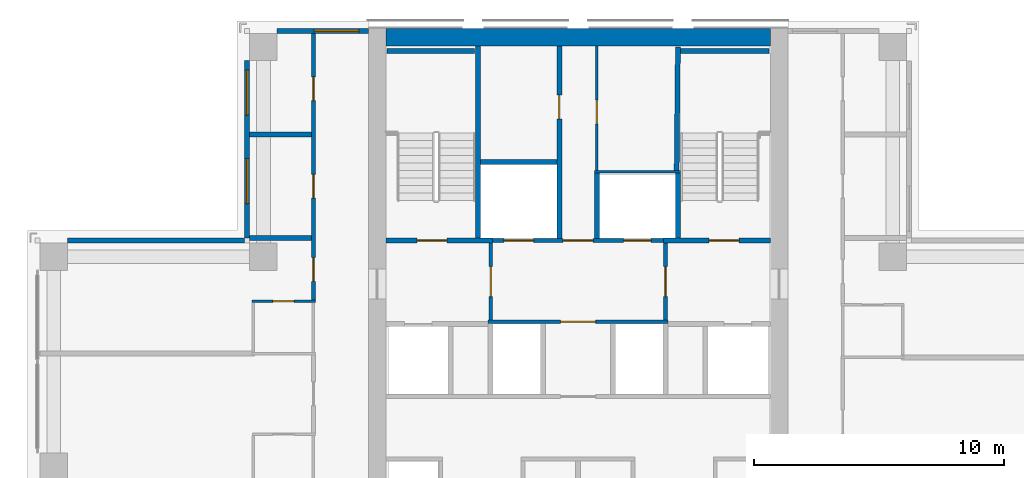
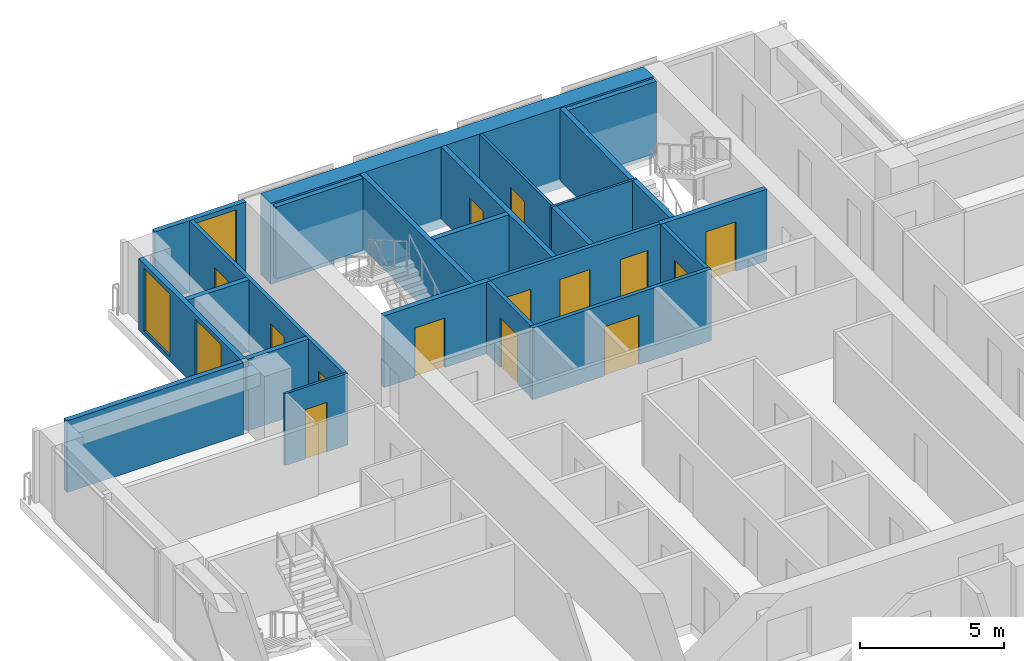
# One storey, part 12 of 16: 24 walls, 14 doors, 3 windows, 17 openings.
"""IFC4 building model written with IfcOpenShell, lengths in metres."""

from ifc_helpers import new_model, si_unit, direction, frame, frame_2d, origin, place, context, subcontext, project, spatial, rectangle, extrude, material, layer, layer_set, type_object, element, fill, save


model = new_model("IFC4")

# Units and contexts
model_context = context("Model", 3, precision=1e-05, world=origin(), true_north=direction((0.0, 1.0)))
body_context = subcontext(model_context, "Body", "Model", "MODEL_VIEW")
ifc_project = project(units=[si_unit("LENGTHUNIT", "METRE"), si_unit("AREAUNIT", "SQUARE_METRE"), si_unit("VOLUMEUNIT", "CUBIC_METRE"), si_unit("PLANEANGLEUNIT", "RADIAN"), si_unit("MASSUNIT", "GRAM", prefix="KILO")], contexts=[model_context])

# Site, building, storey
site_placement = place(None, origin())
site = spatial("IfcSite", under=ifc_project, at=site_placement, CompositionType="ELEMENT")
building_placement = place(site_placement, origin())
building = spatial("IfcBuilding", under=site, at=building_placement, Name="Vermilion Ogive Tower", CompositionType="ELEMENT")
storey_placement = place(building_placement, frame((0.0, 0.0, 160.699951171875)))
storey = spatial("IfcBuildingStorey", under=building, at=storey_placement, Name="L41", CompositionType="ELEMENT", Elevation=160.699951171875)

# Wall
ifc_material_1 = material(Name="Concrete B60", Category="concrete")
ifc_layer_1 = layer(ifc_material_1, 0.699951171875)
ifc_layer_set_1 = layer_set([ifc_layer_1], Name="Core wall 700 B60")
wall_type_1 = type_object("IfcWallType", Name="Core wall 700 B60", PredefinedType="SHEAR", material=ifc_layer_set_1)
wall_1_placement = place(storey_placement, frame((-7.699951171875, 21.39990234375, -0.39990234375), z_axis=(0.0, 0.0, 1.0), x_axis=(1.0, 0.0, 0.0)))
element("IfcWall", 1, at=wall_1_placement, inside=storey, type_object=wall_type_1, Name="L41-CORE-N", PredefinedType="SHEAR", context=body_context, shape_type="SweptSolid", body=[
    extrude(rectangle(XDim=15.39990234375, YDim=0.699951171875, at=frame_2d((7.699951171875, 0.0))), origin(), (0.0, 0.0, 1.0), 3.449951171875),
])

# Wall, opening, door
ifc_material_2 = material(Name="Gypsum board partition on steel studs", Category="steel")
ifc_layer_2 = layer(ifc_material_2, 0.10009765625)
ifc_layer_set_2 = layer_set([ifc_layer_2], Name="Partition 100 bath")
wall_type_2 = type_object("IfcWallType", Name="Partition 100 bath", PredefinedType="PARTITIONING", material=ifc_layer_set_2)
wall_2_placement = place(storey_placement, frame((-13.050048828125, 10.820068359375, 0.0), z_axis=(0.0, 0.0, 1.0), x_axis=(1.0, 0.0, 0.0)))
wall_2 = element("IfcWall", 2, at=wall_2_placement, inside=storey, type_object=wall_type_2, Name="L41-W-W035", PredefinedType="PARTITIONING", context=body_context, shape_type="SweptSolid", body=[
    extrude(rectangle(XDim=2.525146484375, YDim=0.10009765625, at=frame_2d((1.2626953125, 0.0))), origin(), (0.0, 0.0, 1.0), 3.050048828125),
])
opening_1_placement = place(wall_2_placement, frame((0.824951171875, 0.0, 0.0)))
opening_1 = element("IfcOpeningElement", 3, at=opening_1_placement, cuts=wall_2, Name="Opening D3G4006", PredefinedType="OPENING", context=body_context, shape_type="SweptSolid", body=[
    extrude(rectangle(XDim=0.85009765625, YDim=2.10009765625, at=frame_2d((0.425048828125, 1.050048828125))), frame((0.0, 0.06005859375, 0.0), z_axis=(0.0, -1.0, 0.0), x_axis=(1.0, 0.0, 0.0)), (0.0, 0.0, 1.0), 0.1201171875),
])
ifc_material_3 = material(Name="Timber door leaf", Category="wood")
door_type_1 = type_object("IfcDoorType", Name="Bath door 850 x 2100 FD30", OperationType="SINGLE_SWING_LEFT", PredefinedType="DOOR", material=ifc_material_3)
door_1_placement = place(opening_1_placement, origin())
door_1 = element("IfcDoor", 4, at=door_1_placement, inside=storey, type_object=door_type_1, Name="L41-D-D006", OperationType="SINGLE_SWING_RIGHT", OverallHeight=2.10009765625, OverallWidth=0.85009765625, PredefinedType="DOOR", context=body_context, shape_type="SweptSolid", body=[
    extrude(rectangle(XDim=0.85009765625, YDim=2.10009765625, at=frame_2d((0.425048828125, 1.050048828125))), frame((0.0, 0.02490234375, 0.0), z_axis=(0.0, -1.0, 0.0), x_axis=(1.0, 0.0, 0.0)), (0.0, 0.0, 1.0), 0.050048828125),
])
fill(opening_1, door_1)

# Wall
wall_3_placement = place(storey_placement, frame((0.64990234375, 16.0, 0.0), z_axis=(0.0, 0.0, 1.0), x_axis=(1.0, 0.0, 0.0)))
element("IfcWall", 5, at=wall_3_placement, inside=storey, type_object=wall_type_2, Name="L41-CK-W-W018", PredefinedType="PARTITIONING", context=body_context, shape_type="SweptSolid", body=[
    extrude(rectangle(XDim=3.4501953125, YDim=0.10009765625, at=frame_2d((1.72509765625, 0.0))), origin(), (0.0, 0.0, 1.0), 3.050048828125),
])

# Wall, opening, door
wall_4_placement = place(storey_placement, frame((0.75, 16.050048828125, 0.0), z_axis=(0.0, 0.0, 1.0), x_axis=(0.0, 1.0, 0.0)))
wall_4 = element("IfcWall", 6, at=wall_4_placement, inside=storey, type_object=wall_type_2, Name="L41-CK-W-W030", PredefinedType="PARTITIONING", context=body_context, shape_type="SweptSolid", body=[
    extrude(rectangle(XDim=4.9990234375, YDim=0.10009765625, at=frame_2d((2.49951171875, 0.0))), origin(), (0.0, 0.0, 1.0), 3.050048828125),
])
opening_2_placement = place(wall_4_placement, frame((1.875, 0.0, 0.0)))
opening_2 = element("IfcOpeningElement", 7, at=opening_2_placement, cuts=wall_4, Name="Opening DAA359", PredefinedType="OPENING", context=body_context, shape_type="SweptSolid", body=[
    extrude(rectangle(XDim=0.949951171875, YDim=2.10009765625, at=frame_2d((0.47509765625, 1.050048828125))), frame((0.0, 0.06005859375, 0.0), z_axis=(0.0, -1.0, 0.0), x_axis=(1.0, 0.0, 0.0)), (0.0, 0.0, 1.0), 0.1201171875),
])
ifc_material_4 = material(Name="Timber door leaf", Category="wood")
door_type_2 = type_object("IfcDoorType", Name="Service door 950 x 2100 FD60", OperationType="SINGLE_SWING_LEFT", PredefinedType="DOOR", material=ifc_material_4)
door_2_placement = place(opening_2_placement, origin())
door_2 = element("IfcDoor", 8, at=door_2_placement, inside=storey, type_object=door_type_2, Name="L41-CK-D-D022", OperationType="SINGLE_SWING_LEFT", OverallHeight=2.10009765625, OverallWidth=0.949951171875, PredefinedType="DOOR", context=body_context, shape_type="SweptSolid", body=[
    extrude(rectangle(XDim=0.949951171875, YDim=2.10009765625, at=frame_2d((0.47509765625, 1.050048828125))), frame((0.0, 0.02490234375, 0.0), z_axis=(0.0, -1.0, 0.0), x_axis=(1.0, 0.0, 0.0)), (0.0, 0.0, 1.0), 0.050048828125),
])
fill(opening_2, door_2)

# Wall, openings, doors
ifc_material_5 = material(Name="Gypsum board partition on steel studs", Category="steel")
ifc_layer_3 = layer(ifc_material_5, 0.14990234375)
ifc_layer_set_3 = layer_set([ifc_layer_3], Name="Partition 150 corridor")
wall_type_3 = type_object("IfcWallType", Name="Partition 150 corridor", PredefinedType="PARTITIONING", material=ifc_layer_set_3)
wall_5_placement = place(storey_placement, frame((-10.60009765625, 10.8701171875, 0.0), z_axis=(0.0, 0.0, 1.0), x_axis=(0.0, 1.0, 0.0)))
wall_5 = element("IfcWall", 9, at=wall_5_placement, inside=storey, type_object=wall_type_3, Name="L41-W-W053", PredefinedType="PARTITIONING", context=body_context, shape_type="SweptSolid", body=[
    extrude(rectangle(XDim=10.679931640625, YDim=0.14990234375, at=frame_2d((5.33984375, 0.0))), origin(), (0.0, 0.0, 1.0), 3.050048828125),
])
opening_3_placement = place(wall_5_placement, frame((0.739990234375, 0.0, 0.0)))
opening_3 = element("IfcOpeningElement", 10, at=opening_3_placement, cuts=wall_5, Name="Opening D3G4005", PredefinedType="OPENING", context=body_context, shape_type="SweptSolid", body=[
    extrude(rectangle(XDim=0.949951171875, YDim=2.10009765625, at=frame_2d((0.47509765625, 1.050048828125))), frame((0.0, 0.0849609375, 0.0), z_axis=(0.0, -1.0, 0.0), x_axis=(1.0, 0.0, 0.0)), (0.0, 0.0, 1.0), 0.169921875),
])
opening_4_placement = place(wall_5_placement, frame((4.079833984375, 0.0, 0.0)))
opening_4 = element("IfcOpeningElement", 11, at=opening_4_placement, cuts=wall_5, Name="Opening D3G4007", PredefinedType="OPENING", context=body_context, shape_type="SweptSolid", body=[
    extrude(rectangle(XDim=0.949951171875, YDim=2.10009765625, at=frame_2d((0.47509765625, 1.050048828125))), frame((0.0, 0.0849609375, 0.0), z_axis=(0.0, -1.0, 0.0), x_axis=(1.0, 0.0, 0.0)), (0.0, 0.0, 1.0), 0.169921875),
])
opening_5_placement = place(wall_5_placement, frame((7.97998046875, 0.0, 0.0)))
opening_5 = element("IfcOpeningElement", 12, at=opening_5_placement, cuts=wall_5, Name="Opening D3G4008", PredefinedType="OPENING", context=body_context, shape_type="SweptSolid", body=[
    extrude(rectangle(XDim=0.949951171875, YDim=2.10009765625, at=frame_2d((0.47509765625, 1.050048828125))), frame((0.0, 0.0849609375, 0.0), z_axis=(0.0, -1.0, 0.0), x_axis=(1.0, 0.0, 0.0)), (0.0, 0.0, 1.0), 0.169921875),
])
ifc_material_6 = material(Name="Timber door leaf", Category="wood")
door_type_3 = type_object("IfcDoorType", Name="Unit door 950 x 2100 FD30S", OperationType="SINGLE_SWING_LEFT", PredefinedType="DOOR", material=ifc_material_6)
door_3_placement = place(opening_3_placement, origin())
door_3 = element("IfcDoor", 13, at=door_3_placement, inside=storey, type_object=door_type_3, Name="L41-D-D005", OperationType="SINGLE_SWING_LEFT", OverallHeight=2.10009765625, OverallWidth=0.949951171875, PredefinedType="DOOR", context=body_context, shape_type="SweptSolid", body=[
    extrude(rectangle(XDim=0.949951171875, YDim=2.10009765625, at=frame_2d((0.47509765625, 1.050048828125))), frame((0.0, 0.02490234375, 0.0), z_axis=(0.0, -1.0, 0.0), x_axis=(1.0, 0.0, 0.0)), (0.0, 0.0, 1.0), 0.050048828125),
])
fill(opening_3, door_3)
door_4_placement = place(opening_4_placement, origin())
door_4 = element("IfcDoor", 14, at=door_4_placement, inside=storey, type_object=door_type_3, Name="L41-D-D007", OperationType="SINGLE_SWING_LEFT", OverallHeight=2.10009765625, OverallWidth=0.949951171875, PredefinedType="DOOR", context=body_context, shape_type="SweptSolid", body=[
    extrude(rectangle(XDim=0.949951171875, YDim=2.10009765625, at=frame_2d((0.47509765625, 1.050048828125))), frame((0.0, 0.02490234375, 0.0), z_axis=(0.0, -1.0, 0.0), x_axis=(1.0, 0.0, 0.0)), (0.0, 0.0, 1.0), 0.050048828125),
])
fill(opening_4, door_4)
door_5_placement = place(opening_5_placement, origin())
door_5 = element("IfcDoor", 15, at=door_5_placement, inside=storey, type_object=door_type_3, Name="L41-D-D008", OperationType="SINGLE_SWING_RIGHT", OverallHeight=2.10009765625, OverallWidth=0.949951171875, PredefinedType="DOOR", context=body_context, shape_type="SweptSolid", body=[
    extrude(rectangle(XDim=0.949951171875, YDim=2.10009765625, at=frame_2d((0.47509765625, 1.050048828125))), frame((0.0, 0.02490234375, 0.0), z_axis=(0.0, -1.0, 0.0), x_axis=(1.0, 0.0, 0.0)), (0.0, 0.0, 1.0), 0.050048828125),
])
fill(opening_5, door_5)

# Wall, opening, door
wall_6_placement = place(storey_placement, frame((-3.60009765625, 10.0, 0.0), z_axis=(0.0, 0.0, 1.0), x_axis=(1.0, 0.0, 0.0)))
wall_6 = element("IfcWall", 16, at=wall_6_placement, inside=storey, type_object=wall_type_3, Name="L41-CK-W-W014", PredefinedType="PARTITIONING", context=body_context, shape_type="SweptSolid", body=[
    extrude(rectangle(XDim=7.2001953125, YDim=0.14990234375, at=frame_2d((3.60009765625, 0.0))), origin(), (0.0, 0.0, 1.0), 3.050048828125),
])
opening_6_placement = place(wall_6_placement, frame((2.900146484375, 0.0, 0.0)))
opening_6 = element("IfcOpeningElement", 17, at=opening_6_placement, cuts=wall_6, Name="Opening DAA350", PredefinedType="OPENING", context=body_context, shape_type="SweptSolid", body=[
    extrude(rectangle(XDim=1.39990234375, YDim=2.10009765625, at=frame_2d((0.699951171875, 1.050048828125))), frame((0.0, 0.0849609375, 0.0), z_axis=(0.0, -1.0, 0.0), x_axis=(1.0, 0.0, 0.0)), (0.0, 0.0, 1.0), 0.169921875),
])
ifc_material_7 = material(Name="Timber door leaf", Category="wood")
door_type_4 = type_object("IfcDoorType", Name="Lobby door 1400 x 2100 FD60S", OperationType="SINGLE_SWING_LEFT", PredefinedType="DOOR", material=ifc_material_7)
door_6_placement = place(opening_6_placement, origin())
door_6 = element("IfcDoor", 18, at=door_6_placement, inside=storey, type_object=door_type_4, Name="L41-CK-D-D017", OperationType="SINGLE_SWING_RIGHT", OverallHeight=2.10009765625, OverallWidth=1.39990234375, PredefinedType="DOOR", context=body_context, shape_type="SweptSolid", body=[
    extrude(rectangle(XDim=1.39990234375, YDim=2.10009765625, at=frame_2d((0.699951171875, 1.050048828125))), frame((0.0, 0.02490234375, 0.0), z_axis=(0.0, -1.0, 0.0), x_axis=(1.0, 0.0, 0.0)), (0.0, 0.0, 1.0), 0.050048828125),
])
fill(opening_6, door_6)

# Wall, openings, doors
wall_7_placement = place(storey_placement, frame((-3.574951171875, 13.25, 0.0), z_axis=(0.0, 0.0, 1.0), x_axis=(1.0, 0.0, 0.0)))
wall_7 = element("IfcWall", 19, at=wall_7_placement, inside=storey, type_object=wall_type_3, Name="L41-CK-W-W016", PredefinedType="PARTITIONING", context=body_context, shape_type="SweptSolid", body=[
    extrude(rectangle(XDim=7.14990234375, YDim=0.14990234375, at=frame_2d((3.574951171875, 0.0))), origin(), (0.0, 0.0, 1.0), 3.050048828125),
])
opening_7_placement = place(wall_7_placement, frame((0.599853515625, 0.0, 0.0)))
opening_7 = element("IfcOpeningElement", 20, at=opening_7_placement, cuts=wall_7, Name="Opening DAA370", PredefinedType="OPENING", context=body_context, shape_type="SweptSolid", body=[
    extrude(rectangle(XDim=1.199951171875, YDim=2.10009765625, at=frame_2d((0.60009765625, 1.050048828125))), frame((0.0, 0.0849609375, 0.0), z_axis=(0.0, -1.0, 0.0), x_axis=(1.0, 0.0, 0.0)), (0.0, 0.0, 1.0), 0.169921875),
])
opening_8_placement = place(wall_7_placement, frame((5.39990234375, 0.0, 0.0)))
opening_8 = element("IfcOpeningElement", 21, at=opening_8_placement, cuts=wall_7, Name="Opening DAA369", PredefinedType="OPENING", context=body_context, shape_type="SweptSolid", body=[
    extrude(rectangle(XDim=1.10009765625, YDim=2.10009765625, at=frame_2d((0.550048828125, 1.050048828125))), frame((0.0, 0.0849609375, 0.0), z_axis=(0.0, -1.0, 0.0), x_axis=(1.0, 0.0, 0.0)), (0.0, 0.0, 1.0), 0.169921875),
])
opening_9_placement = place(wall_7_placement, frame((2.974853515625, 0.0, 0.0)))
opening_9 = element("IfcOpeningElement", 22, at=opening_9_placement, cuts=wall_7, Name="Opening DAA351", PredefinedType="OPENING", context=body_context, shape_type="SweptSolid", body=[
    extrude(rectangle(XDim=1.199951171875, YDim=2.10009765625, at=frame_2d((0.60009765625, 1.050048828125))), frame((0.0, 0.0849609375, 0.0), z_axis=(0.0, -1.0, 0.0), x_axis=(1.0, 0.0, 0.0)), (0.0, 0.0, 1.0), 0.169921875),
])
ifc_material_8 = material(Name="Stainless steel", Category="steel")
door_type_5 = type_object("IfcDoorType", Name="Lift landing door 1100 x 2100", OperationType="SLIDING_TO_LEFT", PredefinedType="DOOR", material=ifc_material_8)
door_7_placement = place(opening_8_placement, origin())
door_7 = element("IfcDoor", 23, at=door_7_placement, inside=storey, type_object=door_type_5, Name="L41-CK-D-D019", OperationType="SLIDING_TO_LEFT", OverallHeight=2.10009765625, OverallWidth=1.10009765625, PredefinedType="DOOR", context=body_context, shape_type="SweptSolid", body=[
    extrude(rectangle(XDim=1.10009765625, YDim=2.10009765625, at=frame_2d((0.550048828125, 1.050048828125))), frame((0.0, 0.02490234375, 0.0), z_axis=(0.0, -1.0, 0.0), x_axis=(1.0, 0.0, 0.0)), (0.0, 0.0, 1.0), 0.050048828125),
])
fill(opening_8, door_7)
ifc_material_9 = material(Name="Stainless steel", Category="steel")
door_type_6 = type_object("IfcDoorType", Name="Lift landing door 1200 x 2100", OperationType="SLIDING_TO_LEFT", PredefinedType="DOOR", material=ifc_material_9)
door_8_placement = place(opening_7_placement, origin())
door_8 = element("IfcDoor", 24, at=door_8_placement, inside=storey, type_object=door_type_6, Name="L41-CK-D-D018", OperationType="SLIDING_TO_RIGHT", OverallHeight=2.10009765625, OverallWidth=1.199951171875, PredefinedType="DOOR", context=body_context, shape_type="SweptSolid", body=[
    extrude(rectangle(XDim=1.199951171875, YDim=2.10009765625, at=frame_2d((0.60009765625, 1.050048828125))), frame((0.0, 0.02490234375, 0.0), z_axis=(0.0, -1.0, 0.0), x_axis=(1.0, 0.0, 0.0)), (0.0, 0.0, 1.0), 0.050048828125),
])
fill(opening_7, door_8)
ifc_material_10 = material(Name="Timber door leaf", Category="wood")
door_type_7 = type_object("IfcDoorType", Name="Service door 1200 x 2100 FD60", OperationType="SINGLE_SWING_LEFT", PredefinedType="DOOR", material=ifc_material_10)
door_9_placement = place(opening_9_placement, origin())
door_9 = element("IfcDoor", 25, at=door_9_placement, inside=storey, type_object=door_type_7, Name="L41-CK-D-D020", OperationType="SINGLE_SWING_RIGHT", OverallHeight=2.10009765625, OverallWidth=1.199951171875, PredefinedType="DOOR", context=body_context, shape_type="SweptSolid", body=[
    extrude(rectangle(XDim=1.199951171875, YDim=2.10009765625, at=frame_2d((0.60009765625, 1.050048828125))), frame((0.0, 0.02490234375, 0.0), z_axis=(0.0, -1.0, 0.0), x_axis=(1.0, 0.0, 0.0)), (0.0, 0.0, 1.0), 0.050048828125),
])
fill(opening_9, door_9)

# Wall, opening, door
wall_8_placement = place(storey_placement, frame((-3.5, 10.074951171875, 0.0), z_axis=(0.0, 0.0, 1.0), x_axis=(0.0, 1.0, 0.0)))
wall_8 = element("IfcWall", 26, at=wall_8_placement, inside=storey, type_object=wall_type_3, Name="L41-CK-W-W024", PredefinedType="PARTITIONING", context=body_context, shape_type="SweptSolid", body=[
    extrude(rectangle(XDim=3.074951171875, YDim=0.14990234375, at=frame_2d((1.53759765625, 0.0))), origin(), (0.0, 0.0, 1.0), 3.050048828125),
])
opening_10_placement = place(wall_8_placement, frame((0.925048828125, 0.0, 0.0)))
opening_10 = element("IfcOpeningElement", 27, at=opening_10_placement, cuts=wall_8, Name="Opening DAA347", PredefinedType="OPENING", context=body_context, shape_type="SweptSolid", body=[
    extrude(rectangle(XDim=1.199951171875, YDim=2.10009765625, at=frame_2d((0.60009765625, 1.050048828125))), frame((0.0, 0.0849609375, 0.0), z_axis=(0.0, -1.0, 0.0), x_axis=(1.0, 0.0, 0.0)), (0.0, 0.0, 1.0), 0.169921875),
])
ifc_material_11 = material(Name="Timber door leaf", Category="wood")
door_type_8 = type_object("IfcDoorType", Name="Lobby door 1200 x 2100 FD60S", OperationType="SINGLE_SWING_LEFT", PredefinedType="DOOR", material=ifc_material_11)
door_10_placement = place(opening_10_placement, origin())
door_10 = element("IfcDoor", 28, at=door_10_placement, inside=storey, type_object=door_type_8, Name="L41-CK-D-D023", OperationType="SINGLE_SWING_RIGHT", OverallHeight=2.10009765625, OverallWidth=1.199951171875, PredefinedType="DOOR", context=body_context, shape_type="SweptSolid", body=[
    extrude(rectangle(XDim=1.199951171875, YDim=2.10009765625, at=frame_2d((0.60009765625, 1.050048828125))), frame((0.0, 0.02490234375, 0.0), z_axis=(0.0, -1.0, 0.0), x_axis=(1.0, 0.0, 0.0)), (0.0, 0.0, 1.0), 0.050048828125),
])
fill(opening_10, door_10)

wall_9_placement = place(storey_placement, frame((3.5, 10.074951171875, 0.0), z_axis=(0.0, 0.0, 1.0), x_axis=(0.0, 1.0, 0.0)))
wall_9 = element("IfcWall", 29, at=wall_9_placement, inside=storey, type_object=wall_type_3, Name="L41-CK-W-W034", PredefinedType="PARTITIONING", context=body_context, shape_type="SweptSolid", body=[
    extrude(rectangle(XDim=3.074951171875, YDim=0.14990234375, at=frame_2d((1.53759765625, 0.0))), origin(), (0.0, 0.0, 1.0), 3.050048828125),
])
opening_11_placement = place(wall_9_placement, frame((0.925048828125, 0.0, 0.0)))
opening_11 = element("IfcOpeningElement", 30, at=opening_11_placement, cuts=wall_9, Name="Opening DAA348", PredefinedType="OPENING", context=body_context, shape_type="SweptSolid", body=[
    extrude(rectangle(XDim=1.199951171875, YDim=2.10009765625, at=frame_2d((0.60009765625, 1.050048828125))), frame((0.0, 0.0849609375, 0.0), z_axis=(0.0, -1.0, 0.0), x_axis=(1.0, 0.0, 0.0)), (0.0, 0.0, 1.0), 0.169921875),
])
door_11_placement = place(opening_11_placement, origin())
door_11 = element("IfcDoor", 31, at=door_11_placement, inside=storey, type_object=door_type_8, Name="L41-CK-D-D024", OperationType="SINGLE_SWING_LEFT", OverallHeight=2.10009765625, OverallWidth=1.199951171875, PredefinedType="DOOR", context=body_context, shape_type="SweptSolid", body=[
    extrude(rectangle(XDim=1.199951171875, YDim=2.10009765625, at=frame_2d((0.60009765625, 1.050048828125))), frame((0.0, 0.02490234375, 0.0), z_axis=(0.0, -1.0, 0.0), x_axis=(1.0, 0.0, 0.0)), (0.0, 0.0, 1.0), 0.050048828125),
])
fill(opening_11, door_11)

# Walls
ifc_material_12 = material(Name="Gypsum board partition on steel studs", Category="steel")
ifc_layer_4 = layer(ifc_material_12, 0.199951171875)
ifc_layer_set_4 = layer_set([ifc_layer_4], Name="Partition 200 party")
wall_type_4 = type_object("IfcWallType", Name="Partition 200 party", PredefinedType="PARTITIONING", material=ifc_layer_set_4)
for number, where, z_axis, x_axis, name in (
    (32, (-13.14990234375, 13.35009765625, 0.0), (0.0, 0.0, 1.0), (1.0, 0.0, 0.0), "L41-W-W036"),
    (33, (-13.14990234375, 17.5, 0.0), (0.0, 0.0, 1.0), (1.0, 0.0, 0.0), "L41-W-W038"),
):
    element("IfcWall", number, at=place(storey_placement, frame(where, z_axis=z_axis, x_axis=x_axis)), inside=storey, type_object=wall_type_4, Name=name, PredefinedType="PARTITIONING", context=body_context, shape_type="SweptSolid", body=[
        extrude(rectangle(XDim=2.474853515625, YDim=0.199951171875, at=frame_2d((1.2373046875, 0.0))), origin(), (0.0, 0.0, 1.0), 3.050048828125),
    ])
wall_10_placement = place(storey_placement, frame((-3.89990234375, 16.39990234375, 0.0), z_axis=(0.0, 0.0, 1.0), x_axis=(1.0, 0.0, 0.0)))
element("IfcWall", 34, at=wall_10_placement, inside=storey, type_object=wall_type_4, Name="L41-CK-W-W019", PredefinedType="PARTITIONING", context=body_context, shape_type="SweptSolid", body=[
    extrude(rectangle(XDim=3.0498046875, YDim=0.199951171875, at=frame_2d((1.52490234375, 0.0))), origin(), (0.0, 0.0, 1.0), 3.050048828125),
])

# Wall, opening, door
wall_11_placement = place(storey_placement, frame((-0.75, 13.324951171875, 0.0), z_axis=(0.0, 0.0, 1.0), x_axis=(0.0, 1.0, 0.0)))
wall_11 = element("IfcWall", 35, at=wall_11_placement, inside=storey, type_object=wall_type_4, Name="L41-CK-W-W027", PredefinedType="PARTITIONING", context=body_context, shape_type="SweptSolid", body=[
    extrude(rectangle(XDim=7.72412109375, YDim=0.199951171875, at=frame_2d((3.862060546875, 0.0))), origin(), (0.0, 0.0, 1.0), 3.050048828125),
])
opening_12_placement = place(wall_11_placement, frame((4.800048828125, 0.0, 0.0)))
opening_12 = element("IfcOpeningElement", 36, at=opening_12_placement, cuts=wall_11, Name="Opening DAA358", PredefinedType="OPENING", context=body_context, shape_type="SweptSolid", body=[
    extrude(rectangle(XDim=0.949951171875, YDim=2.10009765625, at=frame_2d((0.47509765625, 1.050048828125))), frame((0.0, 0.10986328125, 0.0), z_axis=(0.0, -1.0, 0.0), x_axis=(1.0, 0.0, 0.0)), (0.0, 0.0, 1.0), 0.219970703125),
])
door_12_placement = place(opening_12_placement, origin())
door_12 = element("IfcDoor", 37, at=door_12_placement, inside=storey, type_object=door_type_2, Name="L41-CK-D-D021", OperationType="SINGLE_SWING_RIGHT", OverallHeight=2.10009765625, OverallWidth=0.949951171875, PredefinedType="DOOR", context=body_context, shape_type="SweptSolid", body=[
    extrude(rectangle(XDim=0.949951171875, YDim=2.10009765625, at=frame_2d((0.47509765625, 1.050048828125))), frame((0.0, 0.02490234375, 0.0), z_axis=(0.0, -1.0, 0.0), x_axis=(1.0, 0.0, 0.0)), (0.0, 0.0, 1.0), 0.050048828125),
])
fill(opening_12, door_12)

# Wall
wall_12_placement = place(storey_placement, frame((0.75, 13.324951171875, 0.0), z_axis=(0.0, 0.0, 1.0), x_axis=(0.0, 1.0, 0.0)))
element("IfcWall", 38, at=wall_12_placement, inside=storey, type_object=wall_type_4, Name="L41-CK-W-W029", PredefinedType="PARTITIONING", context=body_context, shape_type="SweptSolid", body=[
    extrude(rectangle(XDim=2.625, YDim=0.199951171875, at=frame_2d((1.3125, 0.0))), origin(), (0.0, 0.0, 1.0), 3.050048828125),
])

# Wall, opening, door
ifc_material_13 = material(Name="Concrete B60", Category="concrete")
ifc_layer_5 = layer(ifc_material_13, 0.199951171875)
ifc_layer_set_5 = layer_set([ifc_layer_5], Name="Stair shaft wall 200 Concrete B60")
wall_type_5 = type_object("IfcWallType", Name="Stair shaft wall 200 Concrete B60", PredefinedType="SOLIDWALL", material=ifc_layer_set_5)
wall_13_placement = place(storey_placement, frame((-7.698974609375, 13.25, 0.0), z_axis=(0.0, 0.0, 1.0), x_axis=(1.0, 0.0, 0.0)))
wall_13 = element("IfcWall", 39, at=wall_13_placement, inside=storey, type_object=wall_type_5, Name="L41-CK-W-W015", PredefinedType="SOLIDWALL", context=body_context, shape_type="SweptSolid", body=[
    extrude(rectangle(XDim=4.27392578125, YDim=0.199951171875, at=frame_2d((2.136962890625, 0.0))), origin(), (0.0, 0.0, 1.0), 3.050048828125),
])
opening_13_placement = place(wall_13_placement, frame((1.2490234375, 0.0, 0.0)))
opening_13 = element("IfcOpeningElement", 40, at=opening_13_placement, cuts=wall_13, Name="Opening DAA360", PredefinedType="OPENING", context=body_context, shape_type="SweptSolid", body=[
    extrude(rectangle(XDim=1.199951171875, YDim=2.10009765625, at=frame_2d((0.60009765625, 1.050048828125))), frame((0.0, 0.10986328125, 0.0), z_axis=(0.0, -1.0, 0.0), x_axis=(1.0, 0.0, 0.0)), (0.0, 0.0, 1.0), 0.219970703125),
])
ifc_material_14 = material(Name="Timber door leaf", Category="wood")
door_type_9 = type_object("IfcDoorType", Name="Stair door 1200 x 2100 FD60S", OperationType="SINGLE_SWING_LEFT", PredefinedType="DOOR", material=ifc_material_14)
door_13_placement = place(opening_13_placement, origin())
door_13 = element("IfcDoor", 41, at=door_13_placement, inside=storey, type_object=door_type_9, Name="L41-CK-D-D012", OperationType="SINGLE_SWING_LEFT", OverallHeight=2.10009765625, OverallWidth=1.199951171875, PredefinedType="DOOR", context=body_context, shape_type="SweptSolid", body=[
    extrude(rectangle(XDim=1.199951171875, YDim=2.10009765625, at=frame_2d((0.60009765625, 1.050048828125))), frame((0.0, 0.02490234375, 0.0), z_axis=(0.0, -1.0, 0.0), x_axis=(1.0, 0.0, 0.0)), (0.0, 0.0, 1.0), 0.050048828125),
])
fill(opening_13, door_13)

wall_14_placement = place(storey_placement, frame((3.425048828125, 13.25, 0.0), z_axis=(0.0, 0.0, 1.0), x_axis=(1.0, 0.0, 0.0)))
wall_14 = element("IfcWall", 42, at=wall_14_placement, inside=storey, type_object=wall_type_5, Name="L41-CK-W-W017", PredefinedType="SOLIDWALL", context=body_context, shape_type="SweptSolid", body=[
    extrude(rectangle(XDim=4.27392578125, YDim=0.199951171875, at=frame_2d((2.136962890625, 0.0))), origin(), (0.0, 0.0, 1.0), 3.050048828125),
])
opening_14_placement = place(wall_14_placement, frame((1.824951171875, 0.0, 0.0)))
opening_14 = element("IfcOpeningElement", 43, at=opening_14_placement, cuts=wall_14, Name="Opening DAA361", PredefinedType="OPENING", context=body_context, shape_type="SweptSolid", body=[
    extrude(rectangle(XDim=1.199951171875, YDim=2.10009765625, at=frame_2d((0.60009765625, 1.050048828125))), frame((0.0, 0.10986328125, 0.0), z_axis=(0.0, -1.0, 0.0), x_axis=(1.0, 0.0, 0.0)), (0.0, 0.0, 1.0), 0.219970703125),
])
door_14_placement = place(opening_14_placement, origin())
door_14 = element("IfcDoor", 44, at=door_14_placement, inside=storey, type_object=door_type_9, Name="L41-CK-D-D014", OperationType="SINGLE_SWING_RIGHT", OverallHeight=2.10009765625, OverallWidth=1.199951171875, PredefinedType="DOOR", context=body_context, shape_type="SweptSolid", body=[
    extrude(rectangle(XDim=1.199951171875, YDim=2.10009765625, at=frame_2d((0.60009765625, 1.050048828125))), frame((0.0, 0.02490234375, 0.0), z_axis=(0.0, -1.0, 0.0), x_axis=(1.0, 0.0, 0.0)), (0.0, 0.0, 1.0), 0.050048828125),
])
fill(opening_14, door_14)

# Walls
wall_15_placement = place(storey_placement, frame((-4.0, 13.35009765625, 0.0), z_axis=(0.0, 0.0, 1.0), x_axis=(0.0, 1.0, 0.0)))
element("IfcWall", 45, at=wall_15_placement, inside=storey, type_object=wall_type_5, Name="L41-CK-W-W022", PredefinedType="SOLIDWALL", context=body_context, shape_type="SweptSolid", body=[
    extrude(rectangle(XDim=7.698974609375, YDim=0.199951171875, at=frame_2d((3.849609375, 0.0))), origin(), (0.0, 0.0, 1.0), 3.050048828125),
])
wall_16_placement = place(storey_placement, frame((4.0, 13.35009765625, 0.0), z_axis=(0.0, 0.0, 1.0), x_axis=(0.0, 1.0, 0.0)))
element("IfcWall", 46, at=wall_16_placement, inside=storey, type_object=wall_type_5, Name="L41-CK-W-W035", PredefinedType="SOLIDWALL", context=body_context, shape_type="SweptSolid", body=[
    extrude(rectangle(XDim=2.599853515625, YDim=0.199951171875, at=frame_2d((1.2998046875, 0.0))), origin(), (0.0, 0.0, 1.0), 3.050048828125),
])
wall_17_placement = place(storey_placement, frame((3.949951171875, 16.050048828125, 0.0), z_axis=(0.0, 0.0, 1.0), x_axis=(0.010112452169, 0.999948867848, 0.0)))
element("IfcWall", 47, at=wall_17_placement, inside=storey, type_object=wall_type_5, Name="L41-CK-W-W036", PredefinedType="SOLIDWALL", context=body_context, shape_type="SweptSolid", body=[
    extrude(rectangle(XDim=4.94921875, YDim=0.199951171875, at=frame_2d((2.474609375, 0.0))), origin(), (0.0, 0.0, 1.0), 3.050048828125),
])
wall_18_placement = place(storey_placement, frame((-7.64990234375, 20.85009765625, 0.0), z_axis=(0.0, 0.0, 1.0), x_axis=(1.0, 0.0, 0.0)))
element("IfcWall", 48, at=wall_18_placement, inside=storey, type_object=wall_type_5, Name="L41-SW-R018-N1", PredefinedType="SOLIDWALL", context=body_context, shape_type="SweptSolid", body=[
    extrude(rectangle(XDim=3.5, YDim=0.199951171875, at=frame_2d((1.75, 0.0))), origin(), (0.0, 0.0, 1.0), 3.050048828125),
])
wall_19_placement = place(storey_placement, frame((4.10009765625, 20.85009765625, 0.0), z_axis=(0.0, 0.0, 1.0), x_axis=(1.0, 0.0, 0.0)))
element("IfcWall", 49, at=wall_19_placement, inside=storey, type_object=wall_type_5, Name="L41-SW-R022-N1", PredefinedType="SOLIDWALL", context=body_context, shape_type="SweptSolid", body=[
    extrude(rectangle(XDim=3.5498046875, YDim=0.199951171875, at=frame_2d((1.77490234375, 0.0))), origin(), (0.0, 0.0, 1.0), 3.050048828125),
])

# Wall, opening, window
ifc_material_15 = material(Name="Aluminium window wall framing", Category="aluminium")
ifc_layer_6 = layer(ifc_material_15, 0.199951171875)
ifc_layer_set_6 = layer_set([ifc_layer_6], Name="Window wall")
wall_type_6 = type_object("IfcWallType", Name="Window wall", PredefinedType="STANDARD", material=ifc_layer_set_6)
wall_20_placement = place(storey_placement, frame((-8.39990234375, 21.64990234375, 0.0), z_axis=(0.0, 0.0, 1.0), x_axis=(-1.0, 0.0, 0.0)))
wall_20 = element("IfcWall", 50, at=wall_20_placement, inside=storey, type_object=wall_type_6, Name="Window wall N21", PredefinedType="STANDARD", context=body_context, shape_type="SweptSolid", body=[
    extrude(rectangle(XDim=3.650146484375, YDim=0.199951171875, at=frame_2d((1.8251953125, 0.0))), origin(), (0.0, 0.0, 1.0), 3.050048828125),
])
opening_15_placement = place(wall_20_placement, frame((0.375, 0.0, 0.199951171875)))
opening_15 = element("IfcOpeningElement", 51, at=opening_15_placement, cuts=wall_20, Name="Opening W1-N297", PredefinedType="OPENING", context=body_context, shape_type="SweptSolid", body=[
    extrude(rectangle(XDim=1.800048828125, YDim=2.64990234375, at=frame_2d((0.89990234375, 1.324951171875))), frame((0.0, 0.10986328125, 0.0), z_axis=(0.0, -1.0, 0.0), x_axis=(1.0, 0.0, 0.0)), (0.0, 0.0, 1.0), 0.219970703125),
])
ifc_material_16 = material(Name="Aluminium framed double glazing", Category="aluminium")
window_type = type_object("IfcWindowType", Name="Guest window W1", PartitioningType="SINGLE_PANEL", PredefinedType="WINDOW", material=ifc_material_16)
window_1_placement = place(opening_15_placement, origin())
window_1 = element("IfcWindow", 52, at=window_1_placement, inside=storey, type_object=window_type, Name="Window N297", OverallHeight=2.64990234375, OverallWidth=1.800048828125, PartitioningType="SINGLE_PANEL", PredefinedType="WINDOW", context=body_context, shape_type="SweptSolid", body=[
    extrude(rectangle(XDim=1.800048828125, YDim=2.64990234375, at=frame_2d((0.89990234375, 1.324951171875))), frame((0.0, 0.030029296875, 0.0), z_axis=(0.0, -1.0, 0.0), x_axis=(1.0, 0.0, 0.0)), (0.0, 0.0, 1.0), 0.06005859375),
])
fill(opening_15, window_1)

# Wall, openings, windows
wall_21_placement = place(storey_placement, frame((-13.25, 20.449951171875, 0.0), z_axis=(0.0, 0.0, 1.0), x_axis=(0.0, -1.0, 0.0)))
wall_21 = element("IfcWall", 53, at=wall_21_placement, inside=storey, type_object=wall_type_6, Name="Window wall X51", PredefinedType="STANDARD", context=body_context, shape_type="SweptSolid", body=[
    extrude(rectangle(XDim=7.099853515625, YDim=0.199951171875, at=frame_2d((3.5498046875, 0.0))), origin(), (0.0, 0.0, 1.0), 3.050048828125),
])
opening_16_placement = place(wall_21_placement, frame((3.925048828125, 0.0, 0.199951171875)))
opening_16 = element("IfcOpeningElement", 54, at=opening_16_placement, cuts=wall_21, Name="Opening W1-X503", PredefinedType="OPENING", context=body_context, shape_type="SweptSolid", body=[
    extrude(rectangle(XDim=1.800048828125, YDim=2.64990234375, at=frame_2d((0.89990234375, 1.324951171875))), frame((0.0, 0.10986328125, 0.0), z_axis=(0.0, -1.0, 0.0), x_axis=(1.0, 0.0, 0.0)), (0.0, 0.0, 1.0), 0.219970703125),
])
opening_17_placement = place(wall_21_placement, frame((0.375, 0.0, 0.199951171875)))
opening_17 = element("IfcOpeningElement", 55, at=opening_17_placement, cuts=wall_21, Name="Opening W1-X504", PredefinedType="OPENING", context=body_context, shape_type="SweptSolid", body=[
    extrude(rectangle(XDim=1.800048828125, YDim=2.64990234375, at=frame_2d((0.89990234375, 1.324951171875))), frame((0.0, 0.10986328125, 0.0), z_axis=(0.0, -1.0, 0.0), x_axis=(1.0, 0.0, 0.0)), (0.0, 0.0, 1.0), 0.219970703125),
])
window_2_placement = place(opening_16_placement, origin())
window_2 = element("IfcWindow", 56, at=window_2_placement, inside=storey, type_object=window_type, Name="Window X503", OverallHeight=2.64990234375, OverallWidth=1.800048828125, PartitioningType="SINGLE_PANEL", PredefinedType="WINDOW", context=body_context, shape_type="SweptSolid", body=[
    extrude(rectangle(XDim=1.800048828125, YDim=2.64990234375, at=frame_2d((0.89990234375, 1.324951171875))), frame((0.0, 0.030029296875, 0.0), z_axis=(0.0, -1.0, 0.0), x_axis=(1.0, 0.0, 0.0)), (0.0, 0.0, 1.0), 0.06005859375),
])
fill(opening_16, window_2)
window_3_placement = place(opening_17_placement, origin())
window_3 = element("IfcWindow", 57, at=window_3_placement, inside=storey, type_object=window_type, Name="Window X504", OverallHeight=2.64990234375, OverallWidth=1.800048828125, PartitioningType="SINGLE_PANEL", PredefinedType="WINDOW", context=body_context, shape_type="SweptSolid", body=[
    extrude(rectangle(XDim=1.800048828125, YDim=2.64990234375, at=frame_2d((0.89990234375, 1.324951171875))), frame((0.0, 0.030029296875, 0.0), z_axis=(0.0, -1.0, 0.0), x_axis=(1.0, 0.0, 0.0)), (0.0, 0.0, 1.0), 0.06005859375),
])
fill(opening_17, window_3)

# Wall
wall_22_placement = place(storey_placement, frame((-13.35009765625, 13.25, 0.0), z_axis=(0.0, 0.0, 1.0), x_axis=(-1.0, 0.0, 0.0)))
element("IfcWall", 58, at=wall_22_placement, inside=storey, type_object=wall_type_6, Name="Window wall X61", PredefinedType="STANDARD", context=body_context, shape_type="SweptSolid", body=[
    extrude(rectangle(XDim=7.099853515625, YDim=0.199951171875, at=frame_2d((3.5498046875, 0.0))), origin(), (0.0, 0.0, 1.0), 3.050048828125),
])

save(model, "model.ifc")
